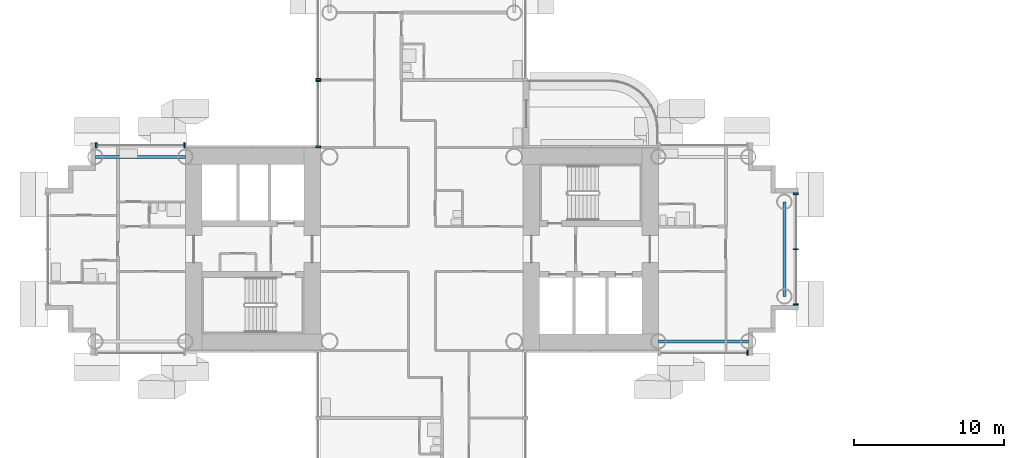
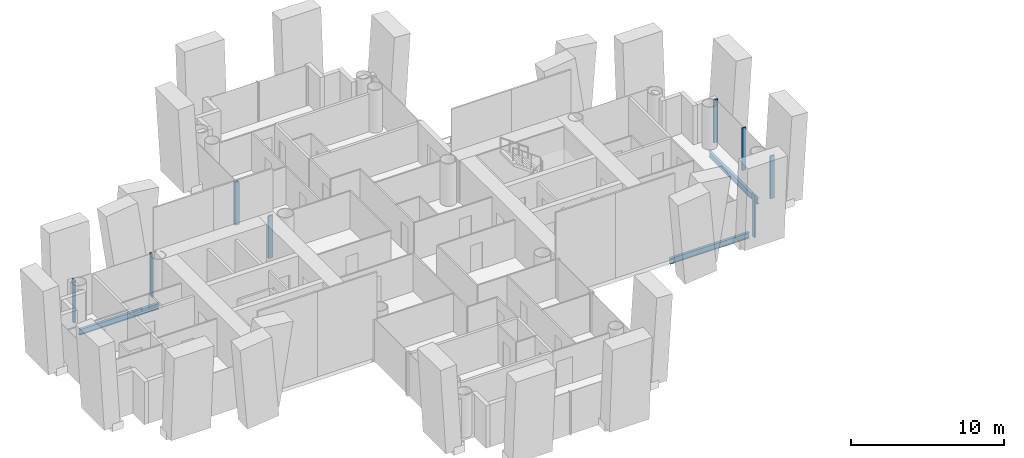
# One storey, part 4 of 23: 9 members, 3 beams, 5 elements without a shape of their own.
"""IFC4 building model written with IfcOpenShell, lengths in metres."""

import ifcopenshell
import ifcopenshell.guid

model = None  # the IFC model being written
_history = None  # IfcOwnerHistory: only IFC2X3 demands one
_inside = {}  # id of a spatial element -> (the spatial element, [elements in it])
_under = {}  # id of a project, library or spatial element -> (it, [spatial elements below it])
_declared = {}  # id of a project -> (the project, [libraries it declares])
_typed = {}  # id of a type object -> (the type object, [elements of that type])
_made_of = {}  # id of a material, layer set ... -> (it, [elements and type objects made of it])


def new_model(schema):
    """Start an empty IFC model of exactly this schema.

    Asked for "IFC4X3", IfcOpenShell would pick the latest addendum, in which some entities
    have other attributes; the version numbers below select the first issue.
    IFC2X3 requires an IfcOwnerHistory on every rooted entity: one is made here for all.
    """
    global model, _history
    if schema == "IFC4X3":
        model = ifcopenshell.file(schema_version=(4, 3, 0, 0))
    else:
        model = ifcopenshell.file(schema=schema)
    _inside.clear()
    _under.clear()
    _declared.clear()
    _typed.clear()
    _made_of.clear()
    _history = None
    if model.schema == "IFC2X3":
        org = make("IfcOrganization", Name="unknown")
        user = make(
            "IfcPersonAndOrganization",
            ThePerson=make("IfcPerson", FamilyName="unknown"),
            TheOrganization=org,
        )
        app = make(
            "IfcApplication",
            ApplicationDeveloper=org,
            Version="unknown",
            ApplicationFullName="unknown",
            ApplicationIdentifier="unknown",
        )
        _history = make(
            "IfcOwnerHistory",
            OwningUser=user,
            OwningApplication=app,
            ChangeAction="ADDED",
            CreationDate=0,
        )
    return model


def make(cls, **values):
    """One entity of the class cls with the attributes given. An attribute that is None is left unset."""
    return model.create_entity(
        cls, **{name: value for name, value in values.items() if value is not None}
    )


def rooted(cls, **values):
    """An entity with a GlobalId (a new one), such as an element, a storey or a relation."""
    return make(cls, GlobalId=ifcopenshell.guid.new(), OwnerHistory=_history, **values)


def si_unit(unit_type, name, prefix=None):
    """IfcSIUnit, for example si_unit("LENGTHUNIT", "METRE", prefix="MILLI")."""
    return make("IfcSIUnit", UnitType=unit_type, Prefix=prefix, Name=name)


def assignment(units):
    """IfcUnitAssignment: the units of a project."""
    return None if units is None else make("IfcUnitAssignment", Units=units)


def point(xyz):
    """IfcCartesianPoint."""
    return None if xyz is None else make("IfcCartesianPoint", Coordinates=xyz)


def direction(xyz):
    """IfcDirection."""
    return None if xyz is None else make("IfcDirection", DirectionRatios=xyz)


def frame(location, z_axis=None, x_axis=None):
    """IfcAxis2Placement3D, a coordinate frame: its origin and axes. An axis left out is left unset."""
    return make(
        "IfcAxis2Placement3D",
        Location=point(location),
        Axis=direction(z_axis),
        RefDirection=direction(x_axis),
    )


def frame_2d(location, x_axis=None):
    """IfcAxis2Placement2D, a coordinate frame in the plane: its origin and x axis."""
    return make(
        "IfcAxis2Placement2D", Location=point(location), RefDirection=direction(x_axis)
    )


def origin():
    """The frame at (0, 0, 0) with its axes left unset."""
    return frame((0.0, 0.0, 0.0))


def origin_2d():
    """The frame at (0, 0) in the plane with its x axis left unset."""
    return frame_2d((0.0, 0.0))


def place(relative_to, where):
    """IfcLocalPlacement: puts the frame where relative to a parent placement (None: the world)."""
    return make(
        "IfcLocalPlacement", PlacementRelTo=relative_to, RelativePlacement=where
    )


def context(
    kind, dimensions, precision=None, world=None, true_north=None, identifier=None
):
    """IfcGeometricRepresentationContext, for example the 3D "Model" context."""
    return make(
        "IfcGeometricRepresentationContext",
        ContextIdentifier=identifier,
        ContextType=kind,
        CoordinateSpaceDimension=dimensions,
        Precision=precision,
        WorldCoordinateSystem=world,
        TrueNorth=true_north,
    )


def subcontext(parent, identifier, kind, view, scale=None):
    """IfcGeometricRepresentationSubContext, for example "Body" below "Model"."""
    return make(
        "IfcGeometricRepresentationSubContext",
        ContextIdentifier=identifier,
        ContextType=kind,
        ParentContext=parent,
        TargetScale=scale,
        TargetView=view,
    )


def project(units=None, contexts=None):
    """IfcProject with its units and contexts."""
    return rooted(
        "IfcProject",
        Name="project",
        RepresentationContexts=contexts,
        UnitsInContext=assignment(units),
    )


def spatial(cls, under=None, at=None, **own):
    """A site, building, storey or space (cls), placed at a placement, below another one or the project."""
    s = rooted(cls, ObjectPlacement=at, **own)
    if under is not None:
        _under.setdefault(under.id(), (under, []))[1].append(s)
    return s


def profile(cls, at=None, kind="AREA", **sizes):
    """A parametric profile (cls). Its sizes go by their IFC names, for example OverallWidth=200.0."""
    return make(cls, ProfileType=kind, Position=at, **sizes)


def rectangle(**sizes):
    """IfcRectangleProfileDef."""
    return profile("IfcRectangleProfileDef", **sizes)


def i_section(**sizes):
    """IfcIShapeProfileDef."""
    return profile("IfcIShapeProfileDef", **sizes)


def extrude(swept, where, along, depth):
    """IfcExtrudedAreaSolid: the profile swept, set in the frame where, extruded along a direction by depth."""
    return make(
        "IfcExtrudedAreaSolid",
        SweptArea=swept,
        Position=where,
        ExtrudedDirection=direction(along),
        Depth=depth,
    )


def shape(context_of_items, identifier, shape_type, items):
    """IfcShapeRepresentation: the items that make up one representation, for example the "Body"."""
    return make(
        "IfcShapeRepresentation",
        ContextOfItems=context_of_items,
        RepresentationIdentifier=identifier,
        RepresentationType=shape_type,
        Items=items,
    )


def material(Name=None, Category=None):
    """IfcMaterial."""
    return make("IfcMaterial", Name=Name, Category=Category)


def layer(
    of_material, thickness, ventilated=None, Name=None, Category=None, Priority=None
):
    """IfcMaterialLayer: one layer of a wall or slab, of a material (None: an air gap)."""
    return make(
        "IfcMaterialLayer",
        Material=of_material,
        LayerThickness=thickness,
        IsVentilated=ventilated,
        Name=Name,
        Category=Category,
        Priority=Priority,
    )


def layer_set(layers, Name=None):
    """IfcMaterialLayerSet."""
    return make("IfcMaterialLayerSet", MaterialLayers=layers, LayerSetName=Name)


def material_profile(
    of_material, cross_section, Name=None, Category=None, Priority=None
):
    """IfcMaterialProfile: a cross section and its material."""
    return make(
        "IfcMaterialProfile",
        Name=Name,
        Material=of_material,
        Profile=cross_section,
        Priority=Priority,
        Category=Category,
    )


def profile_set(profiles, Name=None, composite=None):
    """IfcMaterialProfileSet."""
    return make(
        "IfcMaterialProfileSet",
        Name=Name,
        MaterialProfiles=profiles,
        CompositeProfile=composite,
    )


def made_of(thing, what):
    """Note that an element or type object is made of a material, layer set ...; save() writes the relation."""
    if what is not None:
        _made_of.setdefault(what.id(), (what, []))[1].append(thing)
    return thing


def type_object(cls, material=None, **own):
    """A type object (cls), such as IfcWallType, which elements share."""
    return made_of(rooted(cls, **own), material)


def element(
    cls,
    number,
    at=None,
    inside=None,
    cuts=None,
    type_object=None,
    material=None,
    context=None,
    identifier="Body",
    shape_type=None,
    held_by="IfcProductDefinitionShape",
    body=None,
    shapes=None,
    **own,
):
    """One element of the class cls, such as IfcWall. Its Tag is "e" and its number.

    at: its placement. inside: the storey or other place that contains it. cuts: it is an
    opening in that element (IfcRelVoidsElement). A single representation is given by context,
    identifier, shape_type and body (its items); several are given by shapes. held_by: the class
    of the entity that holds the representations. save() writes the other relations.
    """
    e = rooted(cls, Tag="e%d" % number, ObjectPlacement=at, **own)
    if body is not None:
        shapes = [shape(context, identifier, shape_type, body)]
    if shapes is not None:
        e.Representation = make(held_by, Representations=shapes)
    if inside is not None:
        _inside.setdefault(inside.id(), (inside, []))[1].append(e)
    if cuts is not None:
        rooted(
            "IfcRelVoidsElement", RelatingBuildingElement=cuts, RelatedOpeningElement=e
        )
    if type_object is not None:
        _typed.setdefault(type_object.id(), (type_object, []))[1].append(e)
    return made_of(e, material)


def aggregate(whole, parts):
    """IfcRelAggregates: a whole, such as a stair, and the parts it consists of."""
    return rooted("IfcRelAggregates", RelatingObject=whole, RelatedObjects=parts)


def save(model, path):
    """Write the relations noted so far, then the file.

    IfcRelAggregates (storeys below a building ...), IfcRelContainedInSpatialStructure (elements
    in a storey), IfcRelDefinesByType, IfcRelAssociatesMaterial and IfcRelDeclares: one each for
    every whole, place, type object, material and project.
    """
    for whole, parts in _under.values():
        aggregate(whole, parts)
    for where, things in _inside.values():
        rooted(
            "IfcRelContainedInSpatialStructure",
            RelatedElements=things,
            RelatingStructure=where,
        )
    for kind, things in _typed.values():
        rooted("IfcRelDefinesByType", RelatedObjects=things, RelatingType=kind)
    for what, things in _made_of.values():
        rooted("IfcRelAssociatesMaterial", RelatedObjects=things, RelatingMaterial=what)
    for by, libraries in _declared.values():
        rooted("IfcRelDeclares", RelatingContext=by, RelatedDefinitions=libraries)
    model.write(path)


model = new_model("IFC4")

# Units and contexts
model_context = context("Model", 3, precision=1e-05, world=origin(), true_north=direction((0.0, 1.0)))
body_context = subcontext(model_context, "Body", "Model", "MODEL_VIEW")
ifc_project = project(units=[si_unit("LENGTHUNIT", "METRE"), si_unit("AREAUNIT", "SQUARE_METRE"), si_unit("VOLUMEUNIT", "CUBIC_METRE"), si_unit("PLANEANGLEUNIT", "RADIAN"), si_unit("MASSUNIT", "GRAM", prefix="KILO")], contexts=[model_context])

# Site, building, storey
site_placement = place(None, origin())
site = spatial("IfcSite", under=ifc_project, at=site_placement, CompositionType="ELEMENT")
building_placement = place(site_placement, origin())
building = spatial("IfcBuilding", under=site, at=building_placement, Name="Ipe Terrace Towers", CompositionType="ELEMENT")
storey_placement = place(building_placement, frame((0.0, 0.0, 51.699951171875)))
storey = spatial("IfcBuildingStorey", under=building, at=storey_placement, Name="L13", CompositionType="ELEMENT", Elevation=51.699951171875)

# Beams
ifc_material_1 = material(Name="Steel S355", Category="steel")
ifc_material_profile_1 = material_profile(ifc_material_1, i_section(OverallWidth=0.199951171875, OverallDepth=0.449951171875, WebThickness=0.009033203125, FlangeThickness=0.013916015625, at=origin_2d()), Name="H-450x200x9x14")
ifc_profile_set_1 = profile_set([ifc_material_profile_1], Name="Steel S355")
beam_type = type_object("IfcBeamType", Name="H08 EDGE BEAM H-450x200x9x14", PredefinedType="BEAM", material=ifc_profile_set_1)
beam_1_placement = place(storey_placement, frame((-20.25, -6.14990234375, -0.625), z_axis=(1.0, 0.0, 0.0), x_axis=(0.0, 1.0, 0.0)))
element("IfcBeam", 1, at=beam_1_placement, inside=storey, type_object=beam_type, Name="Edge beam T1-EB-A01-A03", PredefinedType="BEAM", context=body_context, shape_type="SweptSolid", body=[
    extrude(i_section(OverallWidth=0.199951171875, OverallDepth=0.449951171875, WebThickness=0.009033203125, FlangeThickness=0.013916015625, at=origin_2d()), origin(), (0.0, 0.0, 1.0), 6.0),
])
beam_2_placement = place(storey_placement, frame((-11.85009765625, -3.14990234375, -0.625), z_axis=(0.0, 1.0, 0.0), x_axis=(-1.0, 0.0, 0.0)))
element("IfcBeam", 2, at=beam_2_placement, inside=storey, type_object=beam_type, Name="Edge beam T1-EB-A05-A06", PredefinedType="BEAM", context=body_context, shape_type="SweptSolid", body=[
    extrude(i_section(OverallWidth=0.199951171875, OverallDepth=0.449951171875, WebThickness=0.009033203125, FlangeThickness=0.013916015625, at=origin_2d()), origin(), (0.0, 0.0, 1.0), 6.2998046875),
])
beam_3_placement = place(storey_placement, frame((-51.75, 6.14990234375, -0.625), z_axis=(-1.0, 0.0, 0.0), x_axis=(0.0, -1.0, 0.0)))
element("IfcBeam", 3, at=beam_3_placement, inside=storey, type_object=beam_type, Name="Edge beam T1-EB-C02-C04", PredefinedType="BEAM", context=body_context, shape_type="SweptSolid", body=[
    extrude(i_section(OverallWidth=0.199951171875, OverallDepth=0.449951171875, WebThickness=0.009033203125, FlangeThickness=0.013916015625, at=origin_2d()), origin(), (0.0, 0.0, 1.0), 6.0),
])

# Curtain wall, member
ifc_material_2 = material(Name="Aluminium alloy 6063-T6", Category="aluminium")
ifc_layer = layer(ifc_material_2, 0.320068359375)
ifc_layer_set = layer_set([ifc_layer], Name="TOWER UNITISED CURTAIN WALL")
curtain_wall_type = type_object("IfcCurtainWallType", Name="TOWER UNITISED CURTAIN WALL", PredefinedType="NOTDEFINED", material=ifc_layer_set)
curtain_wall_1_placement = place(storey_placement, origin())
curtain_wall_1 = element("IfcCurtainWall", 4, at=curtain_wall_1_placement, inside=storey, type_object=curtain_wall_type, Name="T1-CW-L13-20b curtain wall", PredefinedType="NOTDEFINED")
ifc_material_3 = material(Name="Aluminium alloy 6063-T6", Category="aluminium")
ifc_material_profile_2 = material_profile(ifc_material_3, rectangle(XDim=0.320068359375, YDim=0.1201171875, at=origin_2d()), Name="TOWER UNITISED CORNER MULLION 320 x 120")
ifc_profile_set_2 = profile_set([ifc_material_profile_2], Name="Aluminium alloy 6063-T6")
member_type_1 = type_object("IfcMemberType", Name="TOWER UNITISED CORNER MULLION 320 x 120", PredefinedType="MULLION", material=ifc_profile_set_2)
member_1_placement = place(storey_placement, frame((-14.31005859375, -6.909912109375, -0.300048828125), z_axis=(0.0, 0.0, 1.0), x_axis=(0.0, -1.0, 0.0)))
member_1 = element("IfcMember", 5, at=member_1_placement, type_object=member_type_1, Name="T1-CW-L13-20b mullion 2", PredefinedType="MULLION", context=body_context, shape_type="SweptSolid", body=[
    extrude(rectangle(XDim=0.320068359375, YDim=0.1201171875, at=origin_2d()), origin(), (0.0, 0.0, 1.0), 3.400146484375),
])
aggregate(curtain_wall_1, [member_1])

# Curtain wall, members
curtain_wall_2_placement = place(storey_placement, origin())
curtain_wall_2 = element("IfcCurtainWall", 6, at=curtain_wall_2_placement, inside=storey, type_object=curtain_wall_type, Name="T1-CW-L13-25a curtain wall", PredefinedType="NOTDEFINED")
member_2_placement = place(storey_placement, frame((-11.090087890625, -3.68994140625, -0.300048828125), z_axis=(0.0, 0.0, 1.0), x_axis=(1.0, 0.0, 0.0)))
member_2 = element("IfcMember", 7, at=member_2_placement, type_object=member_type_1, Name="T1-CW-L13-25a mullion 1", PredefinedType="MULLION", context=body_context, shape_type="SweptSolid", body=[
    extrude(rectangle(XDim=0.320068359375, YDim=0.1201171875, at=origin_2d()), origin(), (0.0, 0.0, 1.0), 3.400146484375),
])
member_3_placement = place(storey_placement, frame((-11.090087890625, 3.68994140625, -0.300048828125), z_axis=(0.0, 0.0, 1.0), x_axis=(1.0, 0.0, 0.0)))
member_3 = element("IfcMember", 8, at=member_3_placement, type_object=member_type_1, Name="T1-CW-L13-25a mullion 3", PredefinedType="MULLION", context=body_context, shape_type="SweptSolid", body=[
    extrude(rectangle(XDim=0.320068359375, YDim=0.1201171875, at=origin_2d()), origin(), (0.0, 0.0, 1.0), 3.400146484375),
])

# Curtain wall, member
curtain_wall_3_placement = place(storey_placement, origin())
curtain_wall_3 = element("IfcCurtainWall", 9, at=curtain_wall_3_placement, inside=storey, type_object=curtain_wall_type, Name="T1-CW-L13-43a curtain wall", PredefinedType="NOTDEFINED")
member_4_placement = place(storey_placement, frame((-42.909912109375, 11.31005859375, -0.300048828125), z_axis=(0.0, 0.0, 1.0), x_axis=(-1.0, 0.0, 0.0)))
member_4 = element("IfcMember", 10, at=member_4_placement, type_object=member_type_1, Name="T1-CW-L13-43a mullion 2", PredefinedType="MULLION", context=body_context, shape_type="SweptSolid", body=[
    extrude(rectangle(XDim=0.320068359375, YDim=0.1201171875, at=origin_2d()), origin(), (0.0, 0.0, 1.0), 3.400146484375),
])
aggregate(curtain_wall_3, [member_4])

# Curtain wall, members
curtain_wall_4_placement = place(storey_placement, origin())
curtain_wall_4 = element("IfcCurtainWall", 11, at=curtain_wall_4_placement, inside=storey, type_object=curtain_wall_type, Name="T1-CW-L13-44a curtain wall", PredefinedType="NOTDEFINED")
member_5_placement = place(storey_placement, frame((-42.909912109375, 11.18994140625, -0.300048828125), z_axis=(0.0, 0.0, 1.0), x_axis=(-1.0, 0.0, 0.0)))
member_5 = element("IfcMember", 12, at=member_5_placement, type_object=member_type_1, Name="T1-CW-L13-44a mullion 1", PredefinedType="MULLION", context=body_context, shape_type="SweptSolid", body=[
    extrude(rectangle(XDim=0.320068359375, YDim=0.1201171875, at=origin_2d()), origin(), (0.0, 0.0, 1.0), 3.400146484375),
])
member_6_placement = place(storey_placement, frame((-42.909912109375, 6.81005859375, -0.300048828125), z_axis=(0.0, 0.0, 1.0), x_axis=(-1.0, 0.0, 0.0)))
member_6 = element("IfcMember", 13, at=member_6_placement, type_object=member_type_1, Name="T1-CW-L13-44a mullion 2", PredefinedType="MULLION", context=body_context, shape_type="SweptSolid", body=[
    extrude(rectangle(XDim=0.320068359375, YDim=0.1201171875, at=origin_2d()), origin(), (0.0, 0.0, 1.0), 3.400146484375),
])
aggregate(curtain_wall_4, [member_5, member_6])

curtain_wall_5_placement = place(storey_placement, origin())
curtain_wall_5 = element("IfcCurtainWall", 14, at=curtain_wall_5_placement, inside=storey, type_object=curtain_wall_type, Name="T1-CW-L13-46b curtain wall", PredefinedType="NOTDEFINED")
member_7_placement = place(storey_placement, frame((-51.81103515625, 6.909912109375, -0.300048828125), z_axis=(0.0, 0.0, 1.0), x_axis=(0.0, 1.0, 0.0)))
member_7 = element("IfcMember", 15, at=member_7_placement, type_object=member_type_1, Name="T1-CW-L13-46b mullion 1", PredefinedType="MULLION", context=body_context, shape_type="SweptSolid", body=[
    extrude(rectangle(XDim=0.320068359375, YDim=0.1201171875, at=origin_2d()), origin(), (0.0, 0.0, 1.0), 3.400146484375),
])
member_8_placement = place(storey_placement, frame((-57.68994140625, 6.909912109375, -0.300048828125), z_axis=(0.0, 0.0, 1.0), x_axis=(0.0, 1.0, 0.0)))
member_8 = element("IfcMember", 16, at=member_8_placement, type_object=member_type_1, Name="T1-CW-L13-46b mullion 2", PredefinedType="MULLION", context=body_context, shape_type="SweptSolid", body=[
    extrude(rectangle(XDim=0.320068359375, YDim=0.1201171875, at=origin_2d()), origin(), (0.0, 0.0, 1.0), 3.400146484375),
])
aggregate(curtain_wall_5, [member_7, member_8])

# Member
ifc_material_4 = material(Name="Aluminium alloy 6063-T6", Category="aluminium")
ifc_material_profile_3 = material_profile(ifc_material_4, rectangle(XDim=0.320068359375, YDim=0.06494140625, at=origin_2d()), Name="TOWER UNITISED MULLION 320 x 65")
ifc_profile_set_3 = profile_set([ifc_material_profile_3], Name="Aluminium alloy 6063-T6")
member_type_2 = type_object("IfcMemberType", Name="TOWER UNITISED MULLION 320 x 65", PredefinedType="MULLION", material=ifc_profile_set_3)
member_9_placement = place(storey_placement, frame((-11.090087890625, 0.0, -0.300048828125), z_axis=(0.0, 0.0, 1.0), x_axis=(1.0, 0.0, 0.0)))
member_9 = element("IfcMember", 17, at=member_9_placement, type_object=member_type_2, Name="T1-CW-L13-25a mullion 2", PredefinedType="MULLION", context=body_context, shape_type="SweptSolid", body=[
    extrude(rectangle(XDim=0.320068359375, YDim=0.06494140625, at=origin_2d()), origin(), (0.0, 0.0, 1.0), 3.400146484375),
])

aggregate(curtain_wall_2, [member_2, member_9, member_3])

save(model, "model.ifc")
